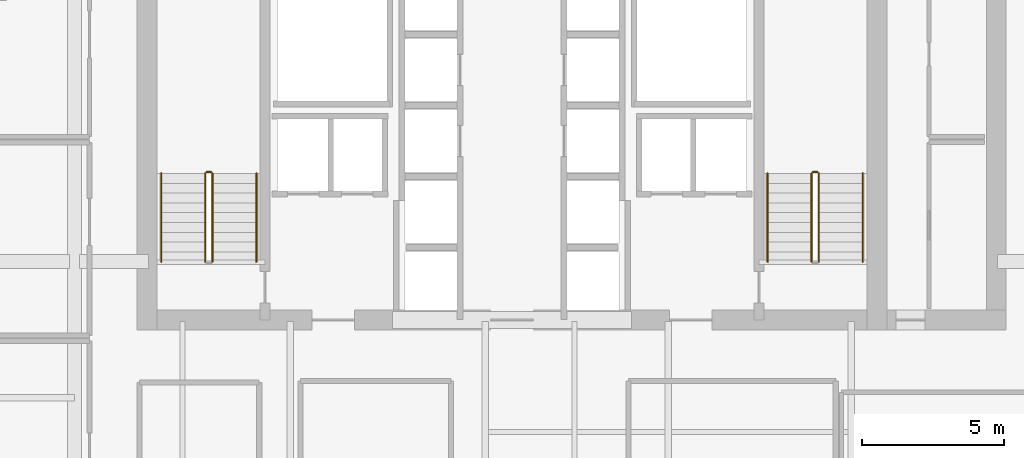
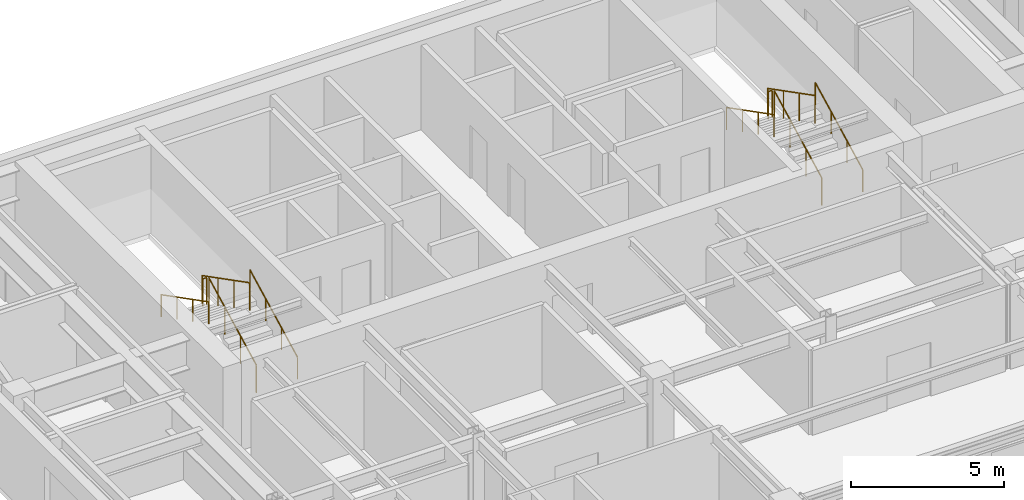
# One storey, part 20 of 20: 10 railings.
"""IFC4 building model written with IfcOpenShell, lengths in metres."""

from ifc_helpers import new_model, si_unit, direction, frame, origin, origin_2d, place, context, subcontext, project, spatial, circle, extrude, material, type_object, element, save


model = new_model("IFC4")

# Units and contexts
model_context = context("Model", 3, precision=1e-05, world=origin(), true_north=direction((0.0, 1.0)))
body_context = subcontext(model_context, "Body", "Model", "MODEL_VIEW")
ifc_project = project(units=[si_unit("LENGTHUNIT", "METRE"), si_unit("AREAUNIT", "SQUARE_METRE"), si_unit("VOLUMEUNIT", "CUBIC_METRE"), si_unit("PLANEANGLEUNIT", "RADIAN"), si_unit("MASSUNIT", "GRAM", prefix="KILO")], contexts=[model_context])

# Site, building, storey
site_placement = place(None, origin())
site = spatial("IfcSite", under=ifc_project, at=site_placement, CompositionType="ELEMENT")
building_placement = place(site_placement, origin())
building = spatial("IfcBuilding", under=site, at=building_placement, Name="Tolvann Quenvar Hotel", CompositionType="ELEMENT")
storey_placement = place(building_placement, frame((0.0, 0.0, 171.89990234375)))
storey = spatial("IfcBuildingStorey", under=building, at=storey_placement, Name="L45", CompositionType="ELEMENT", Elevation=171.89990234375)

# Railings
ifc_material = material(Name="Brushed 316 stainless steel balustrade and handrail", Category="steel")
railing_type_1 = type_object("IfcRailingType", Name="GUARDRAIL", PredefinedType="GUARDRAIL", material=ifc_material)
railing_1_placement = place(storey_placement, frame((12.449951171875, 34.0, 0.177490234375)))
element("IfcRailing", 1, at=railing_1_placement, inside=storey, type_object=railing_type_1, Name="L45 ST-C1 stair guard 1", PredefinedType="GUARDRAIL", context=body_context, shape_type="SweptSolid", body=[
    extrude(circle(Radius=0.02392578125, at=origin_2d()), frame((0.0, 0.0, 1.09619140625), z_axis=(0.0, 0.88919353882, 0.457531256332), x_axis=(-1.0, 0.0, 0.0)), (0.0, 0.0, 1.0), 3.491943359375),
    extrude(circle(Radius=0.02099609375, at=origin_2d()), origin(), (0.0, 0.0, 1.0), 1.072021484375),
    extrude(circle(Radius=0.02099609375, at=origin_2d()), frame((0.0, 1.034912109375, 0.532470703125)), (0.0, 0.0, 1.0), 1.072021484375),
    extrude(circle(Radius=0.02099609375, at=origin_2d()), frame((0.0, 2.070068359375, 1.065185546875)), (0.0, 0.0, 1.0), 1.072021484375),
    extrude(circle(Radius=0.02099609375, at=origin_2d()), frame((0.0, 3.10498046875, 1.59765625)), (0.0, 0.0, 1.0), 1.072021484375),
])
railing_2_placement = place(storey_placement, frame((12.39990234375, 37.155029296875, 1.775146484375)))
element("IfcRailing", 2, at=railing_2_placement, inside=storey, type_object=railing_type_1, Name="L45 ST-C1 stair guard 2", PredefinedType="GUARDRAIL", context=body_context, shape_type="SweptSolid", body=[
    extrude(circle(Radius=0.02392578125, at=origin_2d()), frame((0.0, 0.0, 1.09619140625), z_axis=(-1.0, 0.0, 0.0), x_axis=(0.0, -1.0, 0.0)), (0.0, 0.0, 1.0), 0.14990234375),
    extrude(circle(Radius=0.02099609375, at=origin_2d()), origin(), (0.0, 0.0, 1.0), 1.072021484375),
    extrude(circle(Radius=0.02099609375, at=origin_2d()), frame((-0.14990234375, 0.0, 0.0)), (0.0, 0.0, 1.0), 1.072021484375),
])
railing_3_placement = place(storey_placement, frame((12.199951171875, 37.10498046875, 1.95263671875)))
element("IfcRailing", 3, at=railing_3_placement, inside=storey, type_object=railing_type_1, Name="L45 ST-C1 stair guard 3", PredefinedType="GUARDRAIL", context=body_context, shape_type="SweptSolid", body=[
    extrude(circle(Radius=0.02392578125, at=origin_2d()), frame((0.0, 0.0, 1.09619140625), z_axis=(0.0, -0.889221982265, 0.45747597342), x_axis=(1.0, 0.0, 0.0)), (0.0, 0.0, 1.0), 3.49169921875),
    extrude(circle(Radius=0.02099609375, at=origin_2d()), origin(), (0.0, 0.0, 1.0), 1.072021484375),
    extrude(circle(Radius=0.02099609375, at=origin_2d()), frame((0.0, -1.034912109375, 0.532470703125)), (0.0, 0.0, 1.0), 1.072021484375),
    extrude(circle(Radius=0.02099609375, at=origin_2d()), frame((0.0, -2.070068359375, 1.06494140625)), (0.0, 0.0, 1.0), 1.072021484375),
    extrude(circle(Radius=0.02099609375, at=origin_2d()), frame((0.0, -3.10498046875, 1.597412109375)), (0.0, 0.0, 1.0), 1.072021484375),
])
railing_4_placement = place(storey_placement, frame((33.800048828125, 34.0, 0.177490234375)))
element("IfcRailing", 4, at=railing_4_placement, inside=storey, type_object=railing_type_1, Name="L45 ST-C2 stair guard 1", PredefinedType="GUARDRAIL", context=body_context, shape_type="SweptSolid", body=[
    extrude(circle(Radius=0.02392578125, at=origin_2d()), frame((0.0, 0.0, 1.09619140625), z_axis=(0.0, 0.88919353882, 0.457531256332), x_axis=(-1.0, 0.0, 0.0)), (0.0, 0.0, 1.0), 3.491943359375),
    extrude(circle(Radius=0.02099609375, at=origin_2d()), origin(), (0.0, 0.0, 1.0), 1.072021484375),
    extrude(circle(Radius=0.02099609375, at=origin_2d()), frame((0.0, 1.034912109375, 0.532470703125)), (0.0, 0.0, 1.0), 1.072021484375),
    extrude(circle(Radius=0.02099609375, at=origin_2d()), frame((0.0, 2.070068359375, 1.065185546875)), (0.0, 0.0, 1.0), 1.072021484375),
    extrude(circle(Radius=0.02099609375, at=origin_2d()), frame((0.0, 3.10498046875, 1.59765625)), (0.0, 0.0, 1.0), 1.072021484375),
])
railing_5_placement = place(storey_placement, frame((33.75, 37.155029296875, 1.775146484375)))
element("IfcRailing", 5, at=railing_5_placement, inside=storey, type_object=railing_type_1, Name="L45 ST-C2 stair guard 2", PredefinedType="GUARDRAIL", context=body_context, shape_type="SweptSolid", body=[
    extrude(circle(Radius=0.02392578125, at=origin_2d()), frame((0.0, 0.0, 1.09619140625), z_axis=(-1.0, 0.0, 0.0), x_axis=(0.0, -1.0, 0.0)), (0.0, 0.0, 1.0), 0.14990234375),
    extrude(circle(Radius=0.02099609375, at=origin_2d()), origin(), (0.0, 0.0, 1.0), 1.072021484375),
    extrude(circle(Radius=0.02099609375, at=origin_2d()), frame((-0.14990234375, 0.0, 0.0)), (0.0, 0.0, 1.0), 1.072021484375),
])
railing_6_placement = place(storey_placement, frame((33.550048828125, 37.10498046875, 1.95263671875)))
element("IfcRailing", 6, at=railing_6_placement, inside=storey, type_object=railing_type_1, Name="L45 ST-C2 stair guard 3", PredefinedType="GUARDRAIL", context=body_context, shape_type="SweptSolid", body=[
    extrude(circle(Radius=0.02392578125, at=origin_2d()), frame((0.0, 0.0, 1.09619140625), z_axis=(0.0, -0.889221982265, 0.45747597342), x_axis=(1.0, 0.0, 0.0)), (0.0, 0.0, 1.0), 3.49169921875),
    extrude(circle(Radius=0.02099609375, at=origin_2d()), origin(), (0.0, 0.0, 1.0), 1.072021484375),
    extrude(circle(Radius=0.02099609375, at=origin_2d()), frame((0.0, -1.034912109375, 0.532470703125)), (0.0, 0.0, 1.0), 1.072021484375),
    extrude(circle(Radius=0.02099609375, at=origin_2d()), frame((0.0, -2.070068359375, 1.06494140625)), (0.0, 0.0, 1.0), 1.072021484375),
    extrude(circle(Radius=0.02099609375, at=origin_2d()), frame((0.0, -3.10498046875, 1.597412109375)), (0.0, 0.0, 1.0), 1.072021484375),
])
railing_type_2 = type_object("IfcRailingType", Name="HANDRAIL", PredefinedType="HANDRAIL", material=ifc_material)
railing_7_placement = place(storey_placement, frame((14.0, 34.0, 0.177490234375)))
element("IfcRailing", 7, at=railing_7_placement, inside=storey, type_object=railing_type_2, Name="L45 ST-C1 stair handrail 1", PredefinedType="HANDRAIL", context=body_context, shape_type="SweptSolid", body=[
    extrude(circle(Radius=0.02392578125, at=origin_2d()), frame((0.0, 0.0, 0.8759765625), z_axis=(0.0, 0.88919353882, 0.457531256332), x_axis=(-1.0, 0.0, 0.0)), (0.0, 0.0, 1.0), 3.491943359375),
    extrude(circle(Radius=0.02099609375, at=origin_2d()), origin(), (0.0, 0.0, 1.0), 0.851806640625),
    extrude(circle(Radius=0.02099609375, at=origin_2d()), frame((0.0, 1.034912109375, 0.532470703125)), (0.0, 0.0, 1.0), 0.851806640625),
    extrude(circle(Radius=0.02099609375, at=origin_2d()), frame((0.0, 2.070068359375, 1.065185546875)), (0.0, 0.0, 1.0), 0.851806640625),
    extrude(circle(Radius=0.02099609375, at=origin_2d()), frame((0.0, 3.10498046875, 1.59765625)), (0.0, 0.0, 1.0), 0.851806640625),
])
railing_8_placement = place(storey_placement, frame((10.64990234375, 37.10498046875, 1.95263671875)))
element("IfcRailing", 8, at=railing_8_placement, inside=storey, type_object=railing_type_2, Name="L45 ST-C1 stair handrail 2", PredefinedType="HANDRAIL", context=body_context, shape_type="SweptSolid", body=[
    extrude(circle(Radius=0.02392578125, at=origin_2d()), frame((0.0, 0.0, 0.8759765625), z_axis=(0.0, -0.889221982265, 0.45747597342), x_axis=(1.0, 0.0, 0.0)), (0.0, 0.0, 1.0), 3.49169921875),
    extrude(circle(Radius=0.02099609375, at=origin_2d()), origin(), (0.0, 0.0, 1.0), 0.851806640625),
    extrude(circle(Radius=0.02099609375, at=origin_2d()), frame((0.0, -1.034912109375, 0.532470703125)), (0.0, 0.0, 1.0), 0.851806640625),
    extrude(circle(Radius=0.02099609375, at=origin_2d()), frame((0.0, -2.070068359375, 1.06494140625)), (0.0, 0.0, 1.0), 0.851806640625),
    extrude(circle(Radius=0.02099609375, at=origin_2d()), frame((0.0, -3.10498046875, 1.597412109375)), (0.0, 0.0, 1.0), 0.851806640625),
])
railing_9_placement = place(storey_placement, frame((35.35009765625, 34.0, 0.177490234375)))
element("IfcRailing", 9, at=railing_9_placement, inside=storey, type_object=railing_type_2, Name="L45 ST-C2 stair handrail 1", PredefinedType="HANDRAIL", context=body_context, shape_type="SweptSolid", body=[
    extrude(circle(Radius=0.02392578125, at=origin_2d()), frame((0.0, 0.0, 0.8759765625), z_axis=(0.0, 0.88919353882, 0.457531256332), x_axis=(-1.0, 0.0, 0.0)), (0.0, 0.0, 1.0), 3.491943359375),
    extrude(circle(Radius=0.02099609375, at=origin_2d()), origin(), (0.0, 0.0, 1.0), 0.851806640625),
    extrude(circle(Radius=0.02099609375, at=origin_2d()), frame((0.0, 1.034912109375, 0.532470703125)), (0.0, 0.0, 1.0), 0.851806640625),
    extrude(circle(Radius=0.02099609375, at=origin_2d()), frame((0.0, 2.070068359375, 1.065185546875)), (0.0, 0.0, 1.0), 0.851806640625),
    extrude(circle(Radius=0.02099609375, at=origin_2d()), frame((0.0, 3.10498046875, 1.59765625)), (0.0, 0.0, 1.0), 0.851806640625),
])
railing_10_placement = place(storey_placement, frame((32.0, 37.10498046875, 1.95263671875)))
element("IfcRailing", 10, at=railing_10_placement, inside=storey, type_object=railing_type_2, Name="L45 ST-C2 stair handrail 2", PredefinedType="HANDRAIL", context=body_context, shape_type="SweptSolid", body=[
    extrude(circle(Radius=0.02392578125, at=origin_2d()), frame((0.0, 0.0, 0.8759765625), z_axis=(0.0, -0.889221982265, 0.45747597342), x_axis=(1.0, 0.0, 0.0)), (0.0, 0.0, 1.0), 3.49169921875),
    extrude(circle(Radius=0.02099609375, at=origin_2d()), origin(), (0.0, 0.0, 1.0), 0.851806640625),
    extrude(circle(Radius=0.02099609375, at=origin_2d()), frame((0.0, -1.034912109375, 0.532470703125)), (0.0, 0.0, 1.0), 0.851806640625),
    extrude(circle(Radius=0.02099609375, at=origin_2d()), frame((0.0, -2.070068359375, 1.06494140625)), (0.0, 0.0, 1.0), 0.851806640625),
    extrude(circle(Radius=0.02099609375, at=origin_2d()), frame((0.0, -3.10498046875, 1.597412109375)), (0.0, 0.0, 1.0), 0.851806640625),
])

save(model, "model.ifc")
